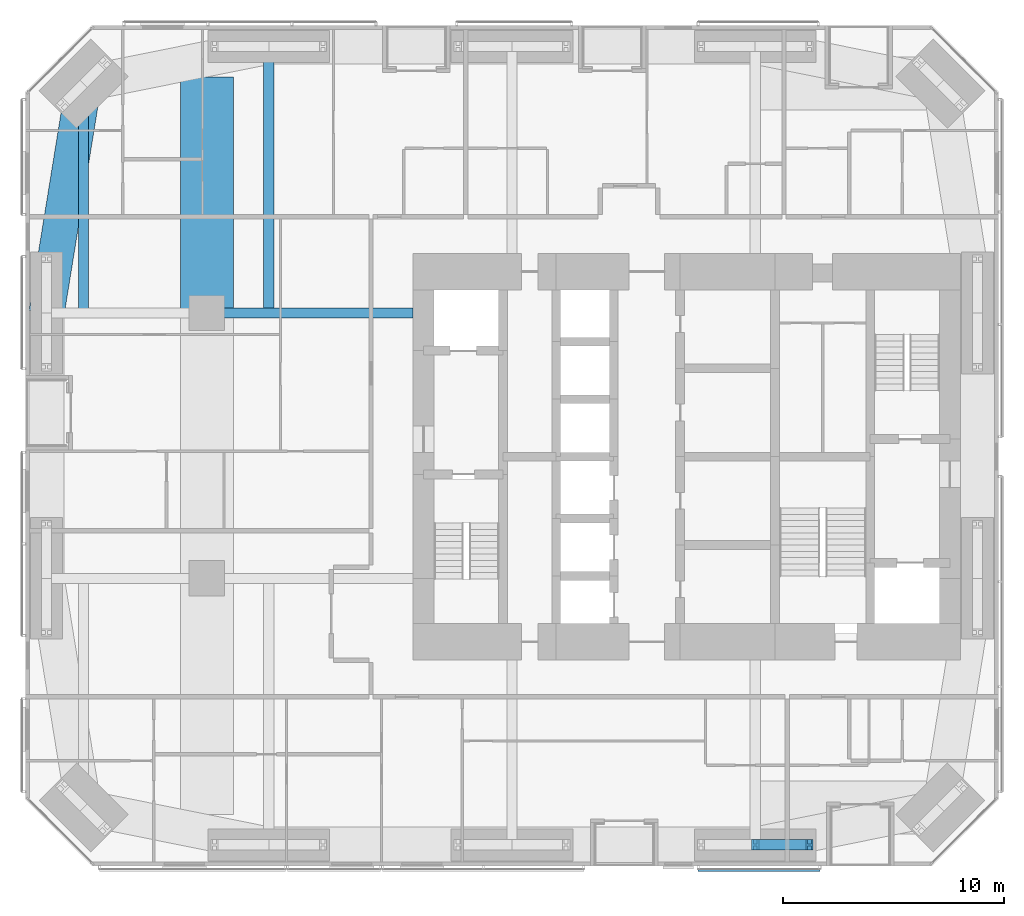
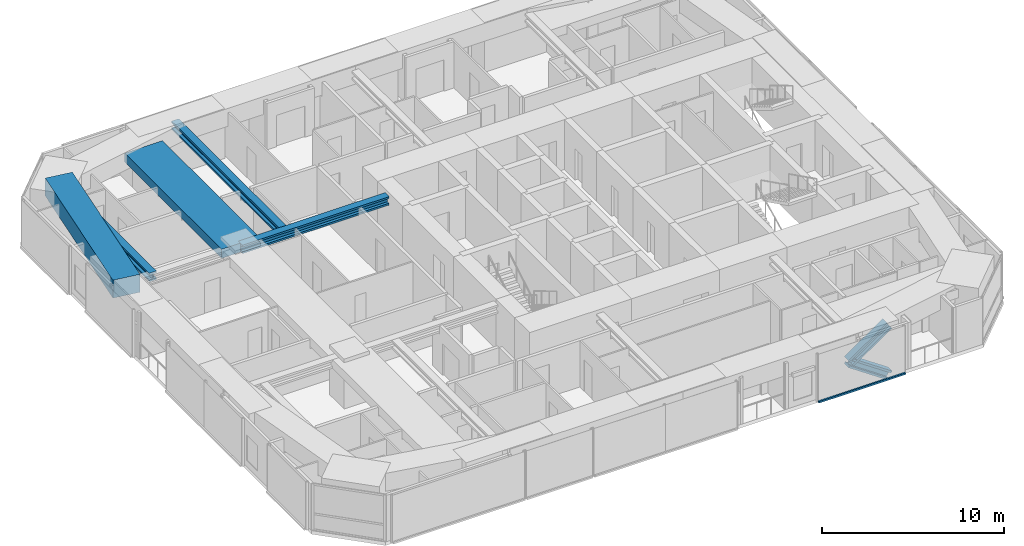
# One storey, part 8 of 24: 5 beams, 3 members, 1 element without a shape of its own.
"""IFC4 building model written with IfcOpenShell, lengths in metres."""

from ifc_helpers import new_model, si_unit, direction, frame, origin, origin_2d, place, context, subcontext, project, spatial, rectangle, i_section, extrude, material, material_profile, profile_set, type_object, element, aggregate, save


model = new_model("IFC4")

# Units and contexts
model_context = context("Model", 3, precision=1e-05, world=origin(), true_north=direction((0.0, 1.0)))
body_context = subcontext(model_context, "Body", "Model", "MODEL_VIEW")
ifc_project = project(units=[si_unit("LENGTHUNIT", "METRE"), si_unit("AREAUNIT", "SQUARE_METRE"), si_unit("VOLUMEUNIT", "CUBIC_METRE"), si_unit("PLANEANGLEUNIT", "RADIAN"), si_unit("MASSUNIT", "GRAM", prefix="KILO")], contexts=[model_context])

# Site, building, storey
site_placement = place(None, origin())
site = spatial("IfcSite", under=ifc_project, at=site_placement, CompositionType="ELEMENT")
building_placement = place(site_placement, origin())
building = spatial("IfcBuilding", under=site, at=building_placement, Name="Jalousie Tower", CompositionType="ELEMENT")
storey_placement = place(building_placement, frame((0.0, 0.0, 51.14990234375)))
storey = spatial("IfcBuildingStorey", under=building, at=storey_placement, Name="L13", CompositionType="ELEMENT", Elevation=51.14990234375)

# Beams
ifc_material_1 = material(Name="Steel ASTM A992 Grade 50", Category="steel")
ifc_material_profile_1 = material_profile(ifc_material_1, i_section(OverallWidth=0.45458984375, OverallDepth=0.569091796875, WebThickness=0.077880859375, FlangeThickness=0.124755859375, at=origin_2d()), Name="W14X730")
ifc_profile_set_1 = profile_set([ifc_material_profile_1], Name="Steel ASTM A992 Grade 50")
beam_type_1 = type_object("IfcBeamType", Name="LEAN COLLECTOR W14X730", PredefinedType="BEAM", material=ifc_profile_set_1)
beam_1_placement = place(storey_placement, frame((10.199951171875, 25.0, 2.82568359375), z_axis=(1.0, 0.0, 0.0), x_axis=(0.0, 1.0, 0.0)))
element("IfcBeam", 1, at=beam_1_placement, inside=storey, type_object=beam_type_1, Name="Lean collector under L14", PredefinedType="BEAM", context=body_context, shape_type="SweptSolid", body=[
    extrude(i_section(OverallWidth=0.45458984375, OverallDepth=0.569091796875, WebThickness=0.077880859375, FlangeThickness=0.124755859375, at=origin_2d()), origin(), (0.0, 0.0, 1.0), 9.324951171875),
])
beam_2_placement = place(storey_placement, frame((4.63134765625, 35.36865234375, 2.82568359375), z_axis=(0.0, -1.0, 0.0), x_axis=(1.0, 0.0, 0.0)))
element("IfcBeam", 2, at=beam_2_placement, inside=storey, type_object=beam_type_1, Name="Lean collector under L14", PredefinedType="BEAM", context=body_context, shape_type="SweptSolid", body=[
    extrude(i_section(OverallWidth=0.45458984375, OverallDepth=0.569091796875, WebThickness=0.077880859375, FlangeThickness=0.124755859375, at=origin_2d()), origin(), (0.0, 0.0, 1.0), 10.36865234375),
])
beam_3_placement = place(storey_placement, frame((13.0, 37.050048828125, 2.82568359375), z_axis=(0.0, -1.0, 0.0), x_axis=(1.0, 0.0, 0.0)))
element("IfcBeam", 3, at=beam_3_placement, inside=storey, type_object=beam_type_1, Name="Lean collector under L14", PredefinedType="BEAM", context=body_context, shape_type="SweptSolid", body=[
    extrude(i_section(OverallWidth=0.45458984375, OverallDepth=0.569091796875, WebThickness=0.077880859375, FlangeThickness=0.124755859375, at=origin_2d()), origin(), (0.0, 0.0, 1.0), 12.050048828125),
])

# Members
ifc_material_2 = material(Name="Steel ASTM A992 Grade 50", Category="steel")
ifc_material_profile_2 = material_profile(ifc_material_2, i_section(OverallWidth=0.472412109375, OverallDepth=0.5791015625, WebThickness=0.094970703125, FlangeThickness=0.1298828125, at=origin_2d()), Name="W14X808")
ifc_profile_set_2 = profile_set([ifc_material_profile_2], Name="Steel ASTM A992 Grade 50")
member_type_1 = type_object("IfcMemberType", Name="PERIMETER BRACE W14X808", PredefinedType="BRACE", material=ifc_profile_set_2)
for number, where, z_axis, x_axis, name in (
    (4, (35.0, 0.949951171875, 1.0751953125), (0.825539243753, 0.0, 0.564344714713), (0.0, 1.0, 0.0), "Perimeter brace 04 L13 part 2"),
    (5, (37.449951171875, 0.949951171875, -0.599853515625), (-0.825500916831, 0.0, 0.564400776321), (0.0, -1.0, 0.0), "Perimeter brace 04 L13 part 3"),
):
    element("IfcMember", number, at=place(storey_placement, frame(where, z_axis=z_axis, x_axis=x_axis)), inside=storey, type_object=member_type_1, Name=name, PredefinedType="BRACE", context=body_context, shape_type="SweptSolid", body=[
        extrude(i_section(OverallWidth=0.472412109375, OverallDepth=0.5791015625, WebThickness=0.094970703125, FlangeThickness=0.1298828125, at=origin_2d()), origin(), (0.0, 0.0, 1.0), 2.9677734375),
    ])

# Beams
ifc_material_3 = material(Name="Concrete f'c 40 MPa", Category="concrete")
ifc_material_profile_3 = material_profile(ifc_material_3, rectangle(XDim=1.60009765625, YDim=1.199951171875, at=origin_2d()), Name="RC 1600x1200")
ifc_profile_set_3 = profile_set([ifc_material_profile_3], Name="Concrete f'c 40 MPa")
beam_type_2 = type_object("IfcBeamType", Name="RC BEAM 1600x1200", PredefinedType="BEAM", material=ifc_profile_set_3)
beam_4_placement = place(storey_placement, frame((4.63134765625, 35.36865234375, 2.75), z_axis=(-0.160070546476, -0.987105577003, 0.0), x_axis=(0.987105577003, -0.160070546476, 0.0)))
element("IfcBeam", 6, at=beam_4_placement, inside=storey, type_object=beam_type_2, Name="Edge band beam 12-13 under L14", PredefinedType="BEAM", context=body_context, shape_type="SweptSolid", body=[
    extrude(rectangle(XDim=1.60009765625, YDim=1.199951171875, at=origin_2d()), origin(), (0.0, 0.0, 1.0), 10.504150390625),
])
ifc_material_4 = material(Name="Concrete f'c 40 MPa", Category="concrete")
ifc_material_profile_4 = material_profile(ifc_material_4, rectangle(XDim=2.39990234375, YDim=0.60009765625, at=origin_2d()), Name="RC 2400x600")
ifc_profile_set_4 = profile_set([ifc_material_profile_4], Name="Concrete f'c 40 MPa")
beam_type_3 = type_object("IfcBeamType", Name="RC BEAM 2400x600", PredefinedType="BEAM", material=ifc_profile_set_4)
beam_5_placement = place(storey_placement, frame((10.199951171875, 25.0, 2.81005859375), z_axis=(0.0, 1.0, 0.0), x_axis=(-1.0, 0.0, 0.0)))
element("IfcBeam", 7, at=beam_5_placement, inside=storey, type_object=beam_type_3, Name="Floor band beam under L14", PredefinedType="BEAM", context=body_context, shape_type="SweptSolid", body=[
    extrude(rectangle(XDim=2.39990234375, YDim=0.60009765625, at=origin_2d()), origin(), (0.0, 0.0, 1.0), 10.67138671875),
])

# Curtain wall, member
ifc_material_5 = material(Name="Perforated aluminium sheet", Category="aluminium")
curtain_wall_type = type_object("IfcCurtainWallType", Name="SOLAR SCREEN SS-1", PredefinedType="USERDEFINED", material=ifc_material_5)
curtain_wall_placement = place(storey_placement, origin())
curtain_wall = element("IfcCurtainWall", 8, at=curtain_wall_placement, inside=storey, type_object=curtain_wall_type, Name="Solar screen L13", ObjectType="SOLAR SCREEN SS-1", PredefinedType="USERDEFINED")
ifc_material_6 = material(Name="Extruded aluminium screen rail", Category="aluminium")
ifc_material_profile_5 = material_profile(ifc_material_6, rectangle(XDim=0.1015625, YDim=0.1201171875, at=origin_2d()), Name="RAIL 102x120")
ifc_profile_set_5 = profile_set([ifc_material_profile_5], Name="Extruded aluminium screen rail")
member_type_2 = type_object("IfcMemberType", Name="SOLAR SCREEN SS-1 TRANSOM", PredefinedType="USERDEFINED", material=ifc_profile_set_5)
member_placement = place(storey_placement, frame((32.41748046875, -0.1982421875, -0.059814453125), z_axis=(1.0, 0.0, 0.0), x_axis=(0.0, 1.0, 0.0)))
member = element("IfcMember", 9, at=member_placement, type_object=member_type_2, Name="SS1 rail", ObjectType="TRANSOM", PredefinedType="USERDEFINED", context=body_context, shape_type="SweptSolid", body=[
    extrude(rectangle(XDim=0.1015625, YDim=0.1201171875, at=origin_2d()), origin(), (0.0, 0.0, 1.0), 5.507568359375),
])
aggregate(curtain_wall, [member])

save(model, "model.ifc")
